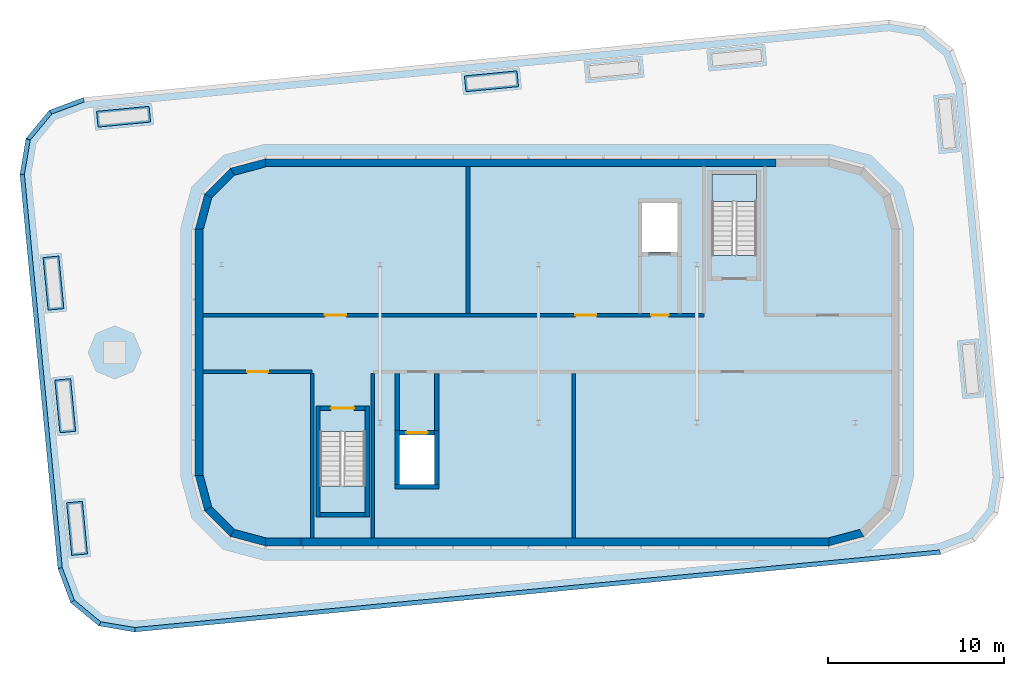
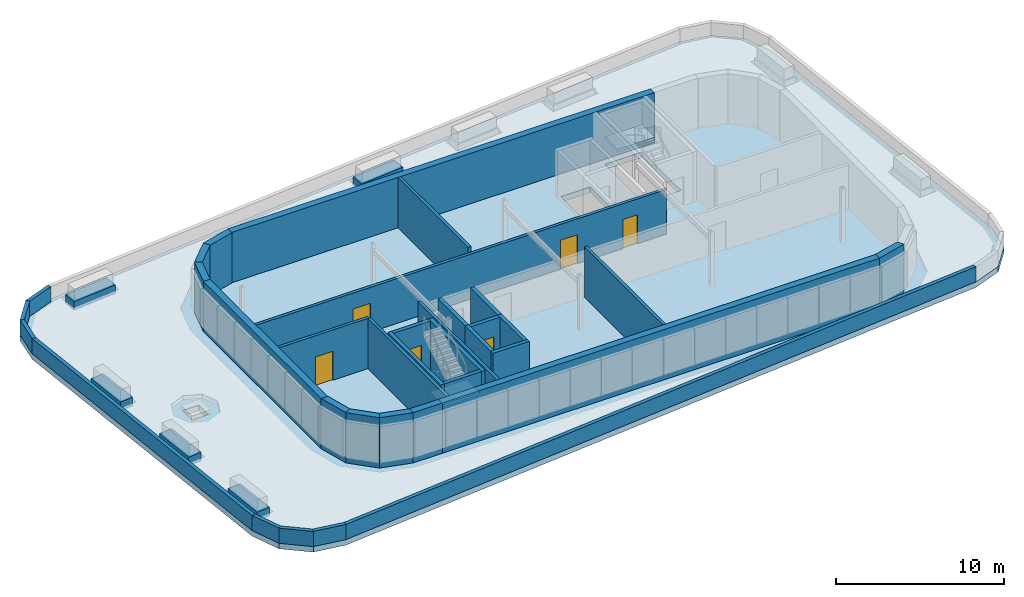
# One storey, part 2 of 6: 40 walls, 6 doors, 3 slabs, 6 openings, 2 elements without a shape of their own.
"""IFC4 building model written with IfcOpenShell, lengths in metres."""

from ifc_helpers import new_model, si_unit, direction, frame, frame_2d, origin, place, context, subcontext, project, spatial, polyline, rectangle, outline, extrude, material, layer, layer_set, type_object, element, fill, aggregate, save


model = new_model("IFC4")

# Units and contexts
model_context = context("Model", 3, precision=1e-05, world=origin(), true_north=direction((0.0, 1.0)))
body_context = subcontext(model_context, "Body", "Model", "MODEL_VIEW")
ifc_project = project(units=[si_unit("LENGTHUNIT", "METRE"), si_unit("AREAUNIT", "SQUARE_METRE"), si_unit("VOLUMEUNIT", "CUBIC_METRE"), si_unit("PLANEANGLEUNIT", "RADIAN"), si_unit("MASSUNIT", "GRAM", prefix="KILO")], contexts=[model_context])

# Site, building, storey
site_placement = place(None, origin())
site = spatial("IfcSite", under=ifc_project, at=site_placement, CompositionType="ELEMENT")
building_placement = place(site_placement, origin())
building = spatial("IfcBuilding", under=site, at=building_placement, Name="Kajstack Hotel Tower", CompositionType="ELEMENT")
storey_placement = place(building_placement, frame((0.0, 0.0, 325.800048828125)))
storey = spatial("IfcBuildingStorey", under=building, at=storey_placement, Name="L82", CompositionType="ELEMENT", Elevation=325.800048828125)

# Slab
ifc_material_1 = material(Name="Concrete C40/50", Category="concrete")
ifc_layer_1 = layer(ifc_material_1, 0.39990234375)
ifc_layer_set_1 = layer_set([ifc_layer_1], Name="RC slab 400 C40/50 crown")
slab_type_1 = type_object("IfcSlabType", Name="RC slab 400 C40/50 crown", PredefinedType="FLOOR", material=ifc_layer_set_1)
slab_1_placement = place(storey_placement, frame((0.0, 0.0, -0.400146484375)))
element("IfcSlab", 1, at=slab_1_placement, inside=storey, type_object=slab_type_1, Name="S-slab-L82", PredefinedType="FLOOR", context=body_context, shape_type="SweptSolid", body=[
    extrude(outline(polyline([(-29.1123046875, 11.652587890625), (-27.795166015625, 13.250244140625), (-25.855712890625, 13.975341796875), (19.9326171875, 18.38427734375), (21.974609375, 18.04248046875), (23.572265625, 16.7255859375), (24.29736328125, 14.785888671875), (26.4541015625, -7.6103515625), (26.1123046875, -9.652587890625), (24.795166015625, -11.250244140625), (22.855712890625, -11.975341796875), (-22.9326171875, -16.38427734375), (-24.974609375, -16.04248046875), (-26.572265625, -14.7255859375), (-27.29736328125, -12.785888671875), (-29.4541015625, 9.6103515625), (-29.1123046875, 11.652587890625)]), holes=[polyline([(-7.89990234375, -8.0), (-5.89990234375, -8.0), (-5.89990234375, -5.199951171875), (-7.89990234375, -5.199951171875), (-7.89990234375, -8.0)]), polyline([(7.89990234375, 8.0), (5.89990234375, 8.0), (5.89990234375, 5.199951171875), (7.89990234375, 5.199951171875), (7.89990234375, 8.0)]), polyline([(-12.39990234375, -9.60009765625), (-9.85009765625, -9.60009765625), (-9.85009765625, -5.0), (-12.39990234375, -5.0), (-12.39990234375, -9.60009765625)]), polyline([(9.85009765625, 5.0), (12.39990234375, 5.0), (12.39990234375, 9.60009765625), (9.85009765625, 9.60009765625), (9.85009765625, 5.0)]), polyline([(-24.6240234375, -1.05419921875), (-24.6240234375, 0.0458984375), (-23.52392578125, 0.0458984375), (-23.52392578125, -1.05419921875), (-24.6240234375, -1.05419921875)])]), origin(), (0.0, 0.0, 1.0), 0.400146484375),
])

# Stair, slab
stair_type = type_object("IfcStairType", Name="Exit stair 1200", PredefinedType="HALF_TURN_STAIR", material=ifc_material_1)
stair_1_placement = place(storey_placement, origin())
stair_1 = element("IfcStair", 2, at=stair_1_placement, inside=storey, type_object=stair_type, Name="L82 stair R1", PredefinedType="HALF_TURN_STAIR")
ifc_layer_2 = layer(ifc_material_1, 0.199951171875)
ifc_layer_set_2 = layer_set([ifc_layer_2], Name="Stair landing 200")
slab_type_2 = type_object("IfcSlabType", Name="Stair landing 200", PredefinedType="LANDING", material=ifc_layer_set_2)
slab_2_placement = place(storey_placement, frame((0.0, 0.0, 1.800048828125)))
slab_2 = element("IfcSlab", 3, at=slab_2_placement, type_object=slab_type_2, Name="R1 landing 1", PredefinedType="LANDING", context=body_context, shape_type="SweptSolid", body=[
    extrude(outline(polyline([(-12.39990234375, -8.080078125), (-12.39990234375, -9.60009765625), (-9.85009765625, -9.60009765625), (-9.85009765625, -8.080078125), (-12.39990234375, -8.080078125)])), origin(), (0.0, 0.0, 1.0), 0.199951171875),
])
aggregate(stair_1, [slab_2])

stair_2_placement = place(storey_placement, origin())
stair_2 = element("IfcStair", 4, at=stair_2_placement, inside=storey, type_object=stair_type, Name="L82 stair R2", PredefinedType="HALF_TURN_STAIR")
slab_3_placement = place(storey_placement, frame((0.0, 0.0, 1.800048828125)))
slab_3 = element("IfcSlab", 5, at=slab_3_placement, type_object=slab_type_2, Name="R2 landing 1", PredefinedType="LANDING", context=body_context, shape_type="SweptSolid", body=[
    extrude(outline(polyline([(12.39990234375, 8.080078125), (12.39990234375, 9.60009765625), (9.85009765625, 9.60009765625), (9.85009765625, 8.080078125), (12.39990234375, 8.080078125)])), origin(), (0.0, 0.0, 1.0), 0.199951171875),
])
aggregate(stair_2, [slab_3])

# Walls
ifc_layer_3 = layer(ifc_material_1, 0.449951171875)
ifc_layer_set_3 = layer_set([ifc_layer_3], Name="EW-CORE")
wall_type_1 = type_object("IfcWallType", Name="EW-CORE", PredefinedType="SOLIDWALL", material=ifc_layer_set_3)
wall_1_placement = place(storey_placement, frame((-15.5, -11.27490234375, 0.0), z_axis=(0.0, 0.0, 1.0), x_axis=(1.0, 0.0, 0.0)))
element("IfcWall", 6, at=wall_1_placement, inside=storey, type_object=wall_type_1, Name="E-wall-L82-03-00", PredefinedType="SOLIDWALL", context=body_context, shape_type="SweptSolid", body=[
    extrude(rectangle(XDim=2.0, YDim=0.449951171875, at=frame_2d((1.0, 0.0))), origin(), (0.0, 0.0, 1.0), 3.64990234375),
])
ifc_material_2 = material(Name="Zinc-clad block masonry", Category="masonry")
ifc_layer_4 = layer(ifc_material_2, 0.449951171875)
ifc_layer_set_4 = layer_set([ifc_layer_4], Name="EW-ZINC")
wall_type_2 = type_object("IfcWallType", Name="EW-ZINC", PredefinedType="SOLIDWALL", material=ifc_layer_set_4)
wall_2_placement = place(storey_placement, frame((-19.28271484375, -7.441650390625, 0.0), z_axis=(0.0, 0.0, 1.0), x_axis=(0.25881466832, -0.965926999034, 0.0)))
element("IfcWall", 7, at=wall_2_placement, inside=storey, type_object=wall_type_2, Name="E-wall-L82-00-00", PredefinedType="SOLIDWALL", context=body_context, shape_type="SweptSolid", body=[
    extrude(outline(polyline([(0.000244140625, -0.22509765625), (2.070556640625, -0.224853515625), (1.9501953125, 0.22509765625), (0.12060546875, 0.22509765625), (0.000244140625, -0.22509765625)])), origin(), (0.0, 0.0, 1.0), 3.64990234375),
])
wall_3_placement = place(storey_placement, frame((-18.804931640625, -9.3408203125, 0.0), z_axis=(0.0, 0.0, 1.0), x_axis=(0.707106781187, -0.707106781187, 0.0)))
element("IfcWall", 8, at=wall_3_placement, inside=storey, type_object=wall_type_2, Name="E-wall-L82-01-00", PredefinedType="SOLIDWALL", context=body_context, shape_type="SweptSolid", body=[
    extrude(outline(polyline([(0.0, -0.22509765625), (2.070556640625, -0.22509765625), (1.949951171875, 0.224853515625), (0.12060546875, 0.224853515625), (0.0, -0.22509765625)])), origin(), (0.0, 0.0, 1.0), 3.64990234375),
])
wall_4_placement = place(storey_placement, frame((-17.441650390625, -10.746826171875, 0.0), z_axis=(0.0, 0.0, 1.0), x_axis=(0.965926999034, -0.25881466832, 0.0)))
element("IfcWall", 9, at=wall_4_placement, inside=storey, type_object=wall_type_2, Name="E-wall-L82-02-00", PredefinedType="SOLIDWALL", context=body_context, shape_type="SweptSolid", body=[
    extrude(outline(polyline([(-0.000244140625, -0.224853515625), (2.0703125, -0.22509765625), (1.949951171875, 0.22509765625), (0.120361328125, 0.22509765625), (-0.000244140625, -0.224853515625)])), origin(), (0.0, 0.0, 1.0), 3.64990234375),
])
wall_5_placement = place(storey_placement, frame((-13.5, -11.27490234375, 0.0), z_axis=(0.0, 0.0, 1.0), x_axis=(1.0, 0.0, 0.0)))
element("IfcWall", 10, at=wall_5_placement, inside=storey, type_object=wall_type_2, Name="E-wall-L82-03-01", PredefinedType="SOLIDWALL", context=body_context, shape_type="SweptSolid", body=[
    extrude(rectangle(XDim=30.0, YDim=0.449951171875, at=frame_2d((15.0, 0.0))), origin(), (0.0, 0.0, 1.0), 3.64990234375),
])
wall_6_placement = place(storey_placement, frame((16.441650390625, -11.28271484375, 0.0), z_axis=(0.0, 0.0, 1.0), x_axis=(0.965926999034, 0.25881466832, 0.0)))
element("IfcWall", 11, at=wall_6_placement, inside=storey, type_object=wall_type_2, Name="E-wall-L82-04-00", PredefinedType="SOLIDWALL", context=body_context, shape_type="SweptSolid", body=[
    extrude(outline(polyline([(0.000244140625, -0.22509765625), (2.070556640625, -0.224853515625), (1.9501953125, 0.22509765625), (0.12060546875, 0.22509765625), (0.000244140625, -0.22509765625)])), origin(), (0.0, 0.0, 1.0), 3.64990234375),
])
wall_7_placement = place(storey_placement, frame((13.5, 10.27490234375, 0.0), z_axis=(0.0, 0.0, 1.0), x_axis=(-1.0, 0.0, 0.0)))
element("IfcWall", 12, at=wall_7_placement, inside=storey, type_object=wall_type_2, Name="E-wall-L82-11-01", PredefinedType="SOLIDWALL", context=body_context, shape_type="SweptSolid", body=[
    extrude(rectangle(XDim=29.0, YDim=0.449951171875, at=frame_2d((14.5, 0.0))), origin(), (0.0, 0.0, 1.0), 3.64990234375),
])
wall_8_placement = place(storey_placement, frame((-15.441650390625, 10.28271484375, 0.0), z_axis=(0.0, 0.0, 1.0), x_axis=(-0.965926999034, -0.25881466832, 0.0)))
element("IfcWall", 13, at=wall_8_placement, inside=storey, type_object=wall_type_2, Name="E-wall-L82-12-00", PredefinedType="SOLIDWALL", context=body_context, shape_type="SweptSolid", body=[
    extrude(outline(polyline([(0.000244140625, -0.22509765625), (2.070556640625, -0.224853515625), (1.9501953125, 0.22509765625), (0.12060546875, 0.22509765625), (0.000244140625, -0.22509765625)])), origin(), (0.0, 0.0, 1.0), 3.64990234375),
])
wall_9_placement = place(storey_placement, frame((-17.3408203125, 9.804931640625, 0.0), z_axis=(0.0, 0.0, 1.0), x_axis=(-0.707106781187, -0.707106781187, 0.0)))
element("IfcWall", 14, at=wall_9_placement, inside=storey, type_object=wall_type_2, Name="E-wall-L82-13-00", PredefinedType="SOLIDWALL", context=body_context, shape_type="SweptSolid", body=[
    extrude(outline(polyline([(0.0, -0.22509765625), (2.070556640625, -0.22509765625), (1.949951171875, 0.224853515625), (0.12060546875, 0.224853515625), (0.0, -0.22509765625)])), origin(), (0.0, 0.0, 1.0), 3.64990234375),
])
wall_10_placement = place(storey_placement, frame((-18.746826171875, 8.441650390625, 0.0), z_axis=(0.0, 0.0, 1.0), x_axis=(-0.25881466832, -0.965926999034, 0.0)))
element("IfcWall", 15, at=wall_10_placement, inside=storey, type_object=wall_type_2, Name="E-wall-L82-14-00", PredefinedType="SOLIDWALL", context=body_context, shape_type="SweptSolid", body=[
    extrude(outline(polyline([(-0.000244140625, -0.224853515625), (2.0703125, -0.22509765625), (1.949951171875, 0.22509765625), (0.120361328125, 0.22509765625), (-0.000244140625, -0.224853515625)])), origin(), (0.0, 0.0, 1.0), 3.64990234375),
])
wall_11_placement = place(storey_placement, frame((-19.27490234375, 6.5, 0.0), z_axis=(0.0, 0.0, 1.0), x_axis=(0.0, -1.0, 0.0)))
element("IfcWall", 16, at=wall_11_placement, inside=storey, type_object=wall_type_2, Name="E-wall-L82-15-00", PredefinedType="SOLIDWALL", context=body_context, shape_type="SweptSolid", body=[
    extrude(rectangle(XDim=14.0, YDim=0.449951171875, at=frame_2d((7.0, 0.0))), origin(), (0.0, 0.0, 1.0), 3.64990234375),
])
ifc_layer_5 = layer(ifc_material_2, 0.25)
ifc_layer_set_5 = layer_set([ifc_layer_5], Name="PARAPET-ZINC")
wall_type_3 = type_object("IfcWallType", Name="PARAPET-ZINC", PredefinedType="PARAPET", material=ifc_layer_set_5)
wall_12_placement = place(storey_placement, origin())
element("IfcWall", 17, at=wall_12_placement, inside=storey, type_object=wall_type_3, Name="Parapet L82-01-01-01", PredefinedType="PARAPET", context=body_context, shape_type="SweptSolid", body=[
    extrude(outline(polyline([(-29.0908203125, 11.67822265625), (-28.89794921875, 11.519287109375), (-27.64501953125, 13.03955078125), (-27.795166015625, 13.250244140625), (-29.0908203125, 11.67822265625)])), origin(), (0.0, 0.0, 1.0), 1.099853515625),
])
wall_13_placement = place(storey_placement, origin())
element("IfcWall", 18, at=wall_13_placement, inside=storey, type_object=wall_type_3, Name="Parapet L82-01-01-02", PredefinedType="PARAPET", context=body_context, shape_type="SweptSolid", body=[
    extrude(outline(polyline([(-27.795166015625, 13.250244140625), (-27.64501953125, 13.03955078125), (-25.799072265625, 13.729736328125), (-25.855712890625, 13.975341796875), (-27.795166015625, 13.250244140625)])), origin(), (0.0, 0.0, 1.0), 1.099853515625),
])
wall_14_placement = place(storey_placement, origin())
element("IfcWall", 19, at=wall_14_placement, inside=storey, type_object=wall_type_3, Name="Parapet L82-01-01-11", PredefinedType="PARAPET", context=body_context, shape_type="SweptSolid", body=[
    extrude(outline(polyline([(22.855712890625, -11.975341796875), (22.799072265625, -11.729736328125), (-22.923583984375, -16.132080078125), (-22.9326171875, -16.38427734375), (22.855712890625, -11.975341796875)])), origin(), (0.0, 0.0, 1.0), 1.099853515625),
])
wall_15_placement = place(storey_placement, origin())
element("IfcWall", 20, at=wall_15_placement, inside=storey, type_object=wall_type_3, Name="Parapet L82-01-01-12", PredefinedType="PARAPET", context=body_context, shape_type="SweptSolid", body=[
    extrude(outline(polyline([(-22.9326171875, -16.38427734375), (-22.923583984375, -16.132080078125), (-24.8671875, -15.806884765625), (-24.974609375, -16.04248046875), (-22.9326171875, -16.38427734375)])), origin(), (0.0, 0.0, 1.0), 1.099853515625),
])
wall_16_placement = place(storey_placement, origin())
element("IfcWall", 21, at=wall_16_placement, inside=storey, type_object=wall_type_3, Name="Parapet L82-01-01-13", PredefinedType="PARAPET", context=body_context, shape_type="SweptSolid", body=[
    extrude(outline(polyline([(-24.974609375, -16.04248046875), (-24.8671875, -15.806884765625), (-26.361572265625, -14.5751953125), (-26.572265625, -14.7255859375), (-24.974609375, -16.04248046875)])), origin(), (0.0, 0.0, 1.0), 1.099853515625),
])
wall_17_placement = place(storey_placement, origin())
element("IfcWall", 22, at=wall_17_placement, inside=storey, type_object=wall_type_3, Name="Parapet L82-01-01-14", PredefinedType="PARAPET", context=body_context, shape_type="SweptSolid", body=[
    extrude(outline(polyline([(-26.572265625, -14.7255859375), (-26.361572265625, -14.5751953125), (-27.0517578125, -12.729248046875), (-27.29736328125, -12.785888671875), (-26.572265625, -14.7255859375)])), origin(), (0.0, 0.0, 1.0), 1.099853515625),
])
wall_18_placement = place(storey_placement, origin())
element("IfcWall", 23, at=wall_18_placement, inside=storey, type_object=wall_type_3, Name="Parapet L82-01-01-15", PredefinedType="PARAPET", context=body_context, shape_type="SweptSolid", body=[
    extrude(outline(polyline([(-27.29736328125, -12.785888671875), (-27.0517578125, -12.729248046875), (-29.201904296875, 9.6015625), (-29.4541015625, 9.6103515625), (-27.29736328125, -12.785888671875)])), origin(), (0.0, 0.0, 1.0), 1.099853515625),
])
wall_19_placement = place(storey_placement, origin())
element("IfcWall", 24, at=wall_19_placement, inside=storey, type_object=wall_type_3, Name="Parapet L82-01-01-16", PredefinedType="PARAPET", context=body_context, shape_type="SweptSolid", body=[
    extrude(outline(polyline([(-29.4541015625, 9.6103515625), (-29.201904296875, 9.6015625), (-28.87109375, 11.578125), (-29.11767578125, 11.619384765625), (-29.4541015625, 9.6103515625)])), origin(), (0.0, 0.0, 1.0), 1.099853515625),
])
ifc_material_3 = material(Name="Concrete C30/37", Category="concrete")
ifc_layer_6 = layer(ifc_material_3, 0.89990234375)
ifc_layer_set_6 = layer_set([ifc_layer_6], Name="PLANTER-WALL")
wall_type_4 = type_object("IfcWallType", Name="PLANTER-WALL", PredefinedType="SOLIDWALL", material=ifc_layer_set_6)
wall_20_placement = place(storey_placement, frame((-25.06298828125, 12.74560546875, 0.0), z_axis=(0.0, 0.0, 1.0), x_axis=(0.99539395692, 0.095869027982, 0.0)))
element("IfcWall", 25, at=wall_20_placement, inside=storey, type_object=wall_type_4, Name="PLANTER L82-01-01", PredefinedType="SOLIDWALL", context=body_context, shape_type="SweptSolid", body=[
    extrude(rectangle(XDim=3.0, YDim=0.89990234375, at=frame_2d((1.5, 0.0))), origin(), (0.0, 0.0, 1.0), 0.599853515625),
])
for number, where, z_axis, x_axis, name in (
    (26, (-4.159912109375, 14.75830078125, 0.0), (0.0, 0.0, 1.0), (0.995394704809, 0.095861262448, 0.0), "PLANTER L82-01-02"),
    (27, (-26.067626953125, -11.993408203125, 0.0), (0.0, 0.0, 1.0), (-0.095861262448, 0.995394704809, 0.0), "PLANTER L82-01-07"),
):
    element("IfcWall", number, at=place(storey_placement, frame(where, z_axis=z_axis, x_axis=x_axis)), inside=storey, type_object=wall_type_4, Name=name, PredefinedType="SOLIDWALL", context=body_context, shape_type="SweptSolid", body=[
        extrude(rectangle(XDim=3.000244140625, YDim=0.89990234375, at=frame_2d((1.5, 0.0))), origin(), (0.0, 0.0, 1.0), 0.599853515625),
    ])
for number, where, z_axis, x_axis, name in (
    (28, (-26.73876953125, -5.025634765625, 0.0), (0.0, 0.0, 1.0), (-0.095780633019, 0.995402466512, 0.0), "PLANTER L82-01-08"),
    (29, (-27.40966796875, 1.942138671875, 0.0), (0.0, 0.0, 1.0), (-0.095780633019, 0.995402466512, 0.0), "PLANTER L82-01-09"),
):
    element("IfcWall", number, at=place(storey_placement, frame(where, z_axis=z_axis, x_axis=x_axis)), inside=storey, type_object=wall_type_4, Name=name, PredefinedType="SOLIDWALL", context=body_context, shape_type="SweptSolid", body=[
        extrude(rectangle(XDim=3.0, YDim=0.89990234375, at=frame_2d((1.5, 0.0))), origin(), (0.0, 0.0, 1.0), 0.599853515625),
    ])
ifc_material_4 = material(Name="Gypsum board on steel studs, mineral wool", Category="steel")
ifc_layer_7 = layer(ifc_material_4, 0.199951171875)
ifc_layer_set_7 = layer_set([ifc_layer_7], Name="Public partition 200")
wall_type_5 = type_object("IfcWallType", Name="Public partition 200", PredefinedType="PARTITIONING", material=ifc_layer_set_7)
for number, where, z_axis, x_axis, name in (
    (30, (-12.85009765625, -11.050048828125, 0.0), (0.0, 0.0, 1.0), (0.0, 1.0, 0.0), "Partition X0"),
    (31, (-9.39990234375, -11.050048828125, 0.0), (0.0, 0.0, 1.0), (0.0, 1.0, 0.0), "Partition X1"),
    (32, (2.0, -11.050048828125, 0.0), (0.0, 0.0, 1.0), (0.0, 1.0, 0.0), "Partition X2"),
):
    element("IfcWall", number, at=place(storey_placement, frame(where, z_axis=z_axis, x_axis=x_axis)), inside=storey, type_object=wall_type_5, Name=name, PredefinedType="PARTITIONING", context=body_context, shape_type="SweptSolid", body=[
        extrude(rectangle(XDim=9.35009765625, YDim=0.199951171875, at=frame_2d((4.675048828125, 0.0))), origin(), (0.0, 0.0, 1.0), 3.64990234375),
    ])

# Wall, opening, door
wall_21_placement = place(storey_placement, frame((-19.050048828125, -1.60009765625, 0.0), z_axis=(0.0, 0.0, 1.0), x_axis=(1.0, 0.0, 0.0)))
wall_21 = element("IfcWall", 33, at=wall_21_placement, inside=storey, type_object=wall_type_5, Name="Partition FW0", PredefinedType="PARTITIONING", context=body_context, shape_type="SweptSolid", body=[
    extrude(rectangle(XDim=6.199951171875, YDim=0.199951171875, at=frame_2d((3.10009765625, 0.0))), origin(), (0.0, 0.0, 1.0), 3.64990234375),
])
opening_1_placement = place(wall_21_placement, frame((2.5, 0.0, 0.0)))
opening_1 = element("IfcOpeningElement", 34, at=opening_1_placement, cuts=wall_21, Name="Opening 82P01", PredefinedType="OPENING", context=body_context, shape_type="SweptSolid", body=[
    extrude(rectangle(XDim=1.199951171875, YDim=2.10009765625, at=frame_2d((0.60009765625, 1.050048828125))), frame((0.0, 0.10986328125, 0.0), z_axis=(0.0, -1.0, 0.0), x_axis=(1.0, 0.0, 0.0)), (0.0, 0.0, 1.0), 0.219970703125),
])
ifc_material_5 = material(Name="Timber leaf, fire-rated", Category="wood")
door_type_1 = type_object("IfcDoorType", Name="Public corridor door 1200", OperationType="SINGLE_SWING_LEFT", PredefinedType="DOOR", material=ifc_material_5)
door_1_placement = place(opening_1_placement, origin())
door_1 = element("IfcDoor", 35, at=door_1_placement, inside=storey, type_object=door_type_1, Name="Door 82P01", OperationType="SINGLE_SWING_RIGHT", OverallHeight=2.10009765625, OverallWidth=1.199951171875, PredefinedType="DOOR", context=body_context, shape_type="SweptSolid", body=[
    extrude(rectangle(XDim=1.199951171875, YDim=2.10009765625, at=frame_2d((0.60009765625, 1.050048828125))), frame((0.0, 0.02490234375, 0.0), z_axis=(0.0, -1.0, 0.0), x_axis=(1.0, 0.0, 0.0)), (0.0, 0.0, 1.0), 0.050048828125),
])
fill(opening_1, door_1)

# Wall
wall_22_placement = place(storey_placement, frame((-4.0, 1.699951171875, 0.0), z_axis=(0.0, 0.0, 1.0), x_axis=(0.0, 1.0, 0.0)))
element("IfcWall", 36, at=wall_22_placement, inside=storey, type_object=wall_type_5, Name="Partition SX2", PredefinedType="PARTITIONING", context=body_context, shape_type="SweptSolid", body=[
    extrude(rectangle(XDim=8.35009765625, YDim=0.199951171875, at=frame_2d((4.175048828125, 0.0))), origin(), (0.0, 0.0, 1.0), 3.64990234375),
])

# Wall, openings, doors
wall_23_placement = place(storey_placement, frame((-19.050048828125, 1.60009765625, 0.0), z_axis=(0.0, 0.0, 1.0), x_axis=(1.0, 0.0, 0.0)))
wall_23 = element("IfcWall", 37, at=wall_23_placement, inside=storey, type_object=wall_type_5, Name="Partition SFW1", PredefinedType="PARTITIONING", context=body_context, shape_type="SweptSolid", body=[
    extrude(rectangle(XDim=28.449951171875, YDim=0.199951171875, at=frame_2d((14.22509765625, 0.0))), origin(), (0.0, 0.0, 1.0), 3.25),
])
opening_2_placement = place(wall_23_placement, frame((21.14990234375, 0.0, 0.0)))
opening_2 = element("IfcOpeningElement", 38, at=opening_2_placement, cuts=wall_23, Name="Opening 82P05", PredefinedType="OPENING", context=body_context, shape_type="SweptSolid", body=[
    extrude(rectangle(XDim=1.199951171875, YDim=2.10009765625, at=frame_2d((0.60009765625, 1.050048828125))), frame((0.0, 0.10986328125, 0.0), z_axis=(0.0, -1.0, 0.0), x_axis=(1.0, 0.0, 0.0)), (0.0, 0.0, 1.0), 0.219970703125),
])
opening_3_placement = place(wall_23_placement, frame((6.925048828125, 0.0, 0.0)))
opening_3 = element("IfcOpeningElement", 39, at=opening_3_placement, cuts=wall_23, Name="Opening 82P06", PredefinedType="OPENING", context=body_context, shape_type="SweptSolid", body=[
    extrude(rectangle(XDim=1.199951171875, YDim=2.10009765625, at=frame_2d((0.60009765625, 1.050048828125))), frame((0.0, 0.10986328125, 0.0), z_axis=(0.0, -1.0, 0.0), x_axis=(1.0, 0.0, 0.0)), (0.0, 0.0, 1.0), 0.219970703125),
])
opening_4_placement = place(wall_23_placement, frame((25.449951171875, 0.0, 0.0)))
opening_4 = element("IfcOpeningElement", 40, at=opening_4_placement, cuts=wall_23, Name="Opening 82P08", PredefinedType="OPENING", context=body_context, shape_type="SweptSolid", body=[
    extrude(rectangle(XDim=1.0, YDim=2.10009765625, at=frame_2d((0.5, 1.050048828125))), frame((0.0, 0.10986328125, 0.0), z_axis=(0.0, -1.0, 0.0), x_axis=(1.0, 0.0, 0.0)), (0.0, 0.0, 1.0), 0.219970703125),
])
door_2_placement = place(opening_2_placement, origin())
door_2 = element("IfcDoor", 41, at=door_2_placement, inside=storey, type_object=door_type_1, Name="Door 82P05", OperationType="SINGLE_SWING_LEFT", OverallHeight=2.10009765625, OverallWidth=1.199951171875, PredefinedType="DOOR", context=body_context, shape_type="SweptSolid", body=[
    extrude(rectangle(XDim=1.199951171875, YDim=2.10009765625, at=frame_2d((0.60009765625, 1.050048828125))), frame((0.0, 0.02490234375, 0.0), z_axis=(0.0, -1.0, 0.0), x_axis=(1.0, 0.0, 0.0)), (0.0, 0.0, 1.0), 0.050048828125),
])
fill(opening_2, door_2)
door_3_placement = place(opening_3_placement, origin())
door_3 = element("IfcDoor", 42, at=door_3_placement, inside=storey, type_object=door_type_1, Name="Door 82P06", OperationType="SINGLE_SWING_LEFT", OverallHeight=2.10009765625, OverallWidth=1.199951171875, PredefinedType="DOOR", context=body_context, shape_type="SweptSolid", body=[
    extrude(rectangle(XDim=1.199951171875, YDim=2.10009765625, at=frame_2d((0.60009765625, 1.050048828125))), frame((0.0, 0.02490234375, 0.0), z_axis=(0.0, -1.0, 0.0), x_axis=(1.0, 0.0, 0.0)), (0.0, 0.0, 1.0), 0.050048828125),
])
fill(opening_3, door_3)
ifc_material_6 = material(Name="Timber leaf", Category="wood")
door_type_2 = type_object("IfcDoorType", Name="Public room door 1000", OperationType="SINGLE_SWING_LEFT", PredefinedType="DOOR", material=ifc_material_6)
door_4_placement = place(opening_4_placement, origin())
door_4 = element("IfcDoor", 43, at=door_4_placement, inside=storey, type_object=door_type_2, Name="Door 82P08", OperationType="SINGLE_SWING_LEFT", OverallHeight=2.10009765625, OverallWidth=1.0, PredefinedType="DOOR", context=body_context, shape_type="SweptSolid", body=[
    extrude(rectangle(XDim=1.0, YDim=2.10009765625, at=frame_2d((0.5, 1.050048828125))), frame((0.0, 0.02490234375, 0.0), z_axis=(0.0, -1.0, 0.0), x_axis=(1.0, 0.0, 0.0)), (0.0, 0.0, 1.0), 0.050048828125),
])
fill(opening_4, door_4)

# Walls
ifc_layer_8 = layer(ifc_material_4, 0.199951171875)
ifc_layer_set_8 = layer_set([ifc_layer_8], Name="Service partition 200")
wall_type_6 = type_object("IfcWallType", Name="Service partition 200", PredefinedType="PARTITIONING", material=ifc_layer_set_8)
for number, where, z_axis, x_axis, name in (
    (44, (-8.02490234375, -4.949951171875, 0.0), (0.0, 0.0, 1.0), (0.0, 1.0, 0.0), "Partition W CLLW"),
    (45, (-5.77490234375, -4.949951171875, 0.0), (0.0, 0.0, 1.0), (0.0, 1.0, 0.0), "Partition W CLLE"),
):
    element("IfcWall", number, at=place(storey_placement, frame(where, z_axis=z_axis, x_axis=x_axis)), inside=storey, type_object=wall_type_6, Name=name, PredefinedType="PARTITIONING", context=body_context, shape_type="SweptSolid", body=[
        extrude(rectangle(XDim=3.25, YDim=0.25, at=frame_2d((1.625, 0.0))), origin(), (0.0, 0.0, 1.0), 3.39990234375),
    ])
ifc_material_7 = material(Name="Concrete C50/60", Category="concrete")
ifc_layer_9 = layer(ifc_material_7, 0.25)
ifc_layer_set_9 = layer_set([ifc_layer_9], Name="Shaft wall 250")
wall_type_7 = type_object("IfcWallType", Name="Shaft wall 250", PredefinedType="SHEAR", material=ifc_layer_set_9)
wall_24_placement = place(storey_placement, frame((-8.14990234375, -8.125, 0.0), z_axis=(0.0, 0.0, 1.0), x_axis=(1.0, 0.0, 0.0)))
element("IfcWall", 46, at=wall_24_placement, inside=storey, type_object=wall_type_7, Name="Core wall W CLS", PredefinedType="SHEAR", context=body_context, shape_type="SweptSolid", body=[
    extrude(rectangle(XDim=2.5, YDim=0.25, at=frame_2d((1.25, 0.0))), origin(), (0.0, 0.0, 1.0), 3.39990234375),
])
for number, where, z_axis, x_axis, name in (
    (47, (-8.02490234375, -8.0, 0.0), (0.0, 0.0, 1.0), (0.0, 1.0, 0.0), "Core wall W CLW"),
    (48, (-5.77490234375, -8.0, 0.0), (0.0, 0.0, 1.0), (0.0, 1.0, 0.0), "Core wall W CLE"),
):
    element("IfcWall", number, at=place(storey_placement, frame(where, z_axis=z_axis, x_axis=x_axis)), inside=storey, type_object=wall_type_7, Name=name, PredefinedType="SHEAR", context=body_context, shape_type="SweptSolid", body=[
        extrude(rectangle(XDim=3.050048828125, YDim=0.25, at=frame_2d((1.52490234375, 0.0))), origin(), (0.0, 0.0, 1.0), 3.39990234375),
    ])

# Wall, opening, door
wall_25_placement = place(storey_placement, frame((-7.89990234375, -5.074951171875, 0.0), z_axis=(0.0, 0.0, 1.0), x_axis=(1.0, 0.0, 0.0)))
wall_25 = element("IfcWall", 49, at=wall_25_placement, inside=storey, type_object=wall_type_7, Name="Core wall W CLN", PredefinedType="SHEAR", context=body_context, shape_type="SweptSolid", body=[
    extrude(rectangle(XDim=2.0, YDim=0.25, at=frame_2d((1.0, 0.0))), origin(), (0.0, 0.0, 1.0), 3.39990234375),
])
opening_5_placement = place(wall_25_placement, frame((0.39990234375, 0.0, 0.0)))
opening_5 = element("IfcOpeningElement", 50, at=opening_5_placement, cuts=wall_25, Name="Opening LD-CL1", PredefinedType="OPENING", context=body_context, shape_type="SweptSolid", body=[
    extrude(rectangle(XDim=1.199951171875, YDim=2.10009765625, at=frame_2d((0.60009765625, 1.050048828125))), frame((0.0, 0.135009765625, 0.0), z_axis=(0.0, -1.0, 0.0), x_axis=(1.0, 0.0, 0.0)), (0.0, 0.0, 1.0), 0.27001953125),
])
ifc_material_8 = material(Name="Stainless steel", Category="steel")
door_type_3 = type_object("IfcDoorType", Name="Lift landing door 1200", OperationType="SLIDING_TO_LEFT", PredefinedType="DOOR", material=ifc_material_8)
door_5_placement = place(opening_5_placement, origin())
door_5 = element("IfcDoor", 51, at=door_5_placement, inside=storey, type_object=door_type_3, Name="Landing door CL1", OperationType="SLIDING_TO_LEFT", OverallHeight=2.10009765625, OverallWidth=1.199951171875, PredefinedType="DOOR", context=body_context, shape_type="SweptSolid", body=[
    extrude(rectangle(XDim=1.199951171875, YDim=2.10009765625, at=frame_2d((0.60009765625, 1.050048828125))), frame((0.0, 0.02490234375, 0.0), z_axis=(0.0, -1.0, 0.0), x_axis=(1.0, 0.0, 0.0)), (0.0, 0.0, 1.0), 0.050048828125),
])
fill(opening_5, door_5)

# Walls
ifc_layer_10 = layer(ifc_material_1, 0.25)
ifc_layer_set_10 = layer_set([ifc_layer_10], Name="Stair enclosure wall 250")
wall_type_8 = type_object("IfcWallType", Name="Stair enclosure wall 250", PredefinedType="SHEAR", material=ifc_layer_set_10)
for number, where, z_axis, x_axis, name in (
    (52, (-12.52490234375, -9.85009765625, 0.0), (0.0, 0.0, 1.0), (0.0, 1.0, 0.0), "Stair wall R1 W"),
    (53, (-9.72509765625, -9.85009765625, 0.0), (0.0, 0.0, 1.0), (0.0, 1.0, 0.0), "Stair wall R1 E"),
):
    element("IfcWall", number, at=place(storey_placement, frame(where, z_axis=z_axis, x_axis=x_axis)), inside=storey, type_object=wall_type_8, Name=name, PredefinedType="SHEAR", context=body_context, shape_type="SweptSolid", body=[
        extrude(rectangle(XDim=6.300048828125, YDim=0.25, at=frame_2d((3.14990234375, 0.0))), origin(), (0.0, 0.0, 1.0), 3.64990234375),
    ])
wall_26_placement = place(storey_placement, frame((-12.39990234375, -9.72509765625, 0.0), z_axis=(0.0, 0.0, 1.0), x_axis=(1.0, 0.0, 0.0)))
element("IfcWall", 54, at=wall_26_placement, inside=storey, type_object=wall_type_8, Name="Stair wall R1 F", PredefinedType="SHEAR", context=body_context, shape_type="SweptSolid", body=[
    extrude(rectangle(XDim=2.5498046875, YDim=0.25, at=frame_2d((1.27490234375, 0.0))), origin(), (0.0, 0.0, 1.0), 3.64990234375),
])

# Wall, opening, door
wall_27_placement = place(storey_placement, frame((-12.39990234375, -3.675048828125, 0.0), z_axis=(0.0, 0.0, 1.0), x_axis=(1.0, 0.0, 0.0)))
wall_27 = element("IfcWall", 55, at=wall_27_placement, inside=storey, type_object=wall_type_8, Name="Stair wall R1 N", PredefinedType="SHEAR", context=body_context, shape_type="SweptSolid", body=[
    extrude(rectangle(XDim=2.5498046875, YDim=0.25, at=frame_2d((1.27490234375, 0.0))), origin(), (0.0, 0.0, 1.0), 3.64990234375),
])
opening_6_placement = place(wall_27_placement, frame((0.625, 0.0, 0.0)))
opening_6 = element("IfcOpeningElement", 56, at=opening_6_placement, cuts=wall_27, Name="Opening 82R1", PredefinedType="OPENING", context=body_context, shape_type="SweptSolid", body=[
    extrude(rectangle(XDim=1.300048828125, YDim=2.10009765625, at=frame_2d((0.64990234375, 1.050048828125))), frame((0.0, 0.135009765625, 0.0), z_axis=(0.0, -1.0, 0.0), x_axis=(1.0, 0.0, 0.0)), (0.0, 0.0, 1.0), 0.27001953125),
])
ifc_material_9 = material(Name="Steel leaf, fire-rated", Category="steel")
door_type_4 = type_object("IfcDoorType", Name="Stair door 1300", OperationType="SINGLE_SWING_LEFT", PredefinedType="DOOR", material=ifc_material_9)
door_6_placement = place(opening_6_placement, origin())
door_6 = element("IfcDoor", 57, at=door_6_placement, inside=storey, type_object=door_type_4, Name="Door 82R1", OperationType="SINGLE_SWING_RIGHT", OverallHeight=2.10009765625, OverallWidth=1.300048828125, PredefinedType="DOOR", context=body_context, shape_type="SweptSolid", body=[
    extrude(rectangle(XDim=1.300048828125, YDim=2.10009765625, at=frame_2d((0.64990234375, 1.050048828125))), frame((0.0, 0.02490234375, 0.0), z_axis=(0.0, -1.0, 0.0), x_axis=(1.0, 0.0, 0.0)), (0.0, 0.0, 1.0), 0.050048828125),
])
fill(opening_6, door_6)

save(model, "model.ifc")
